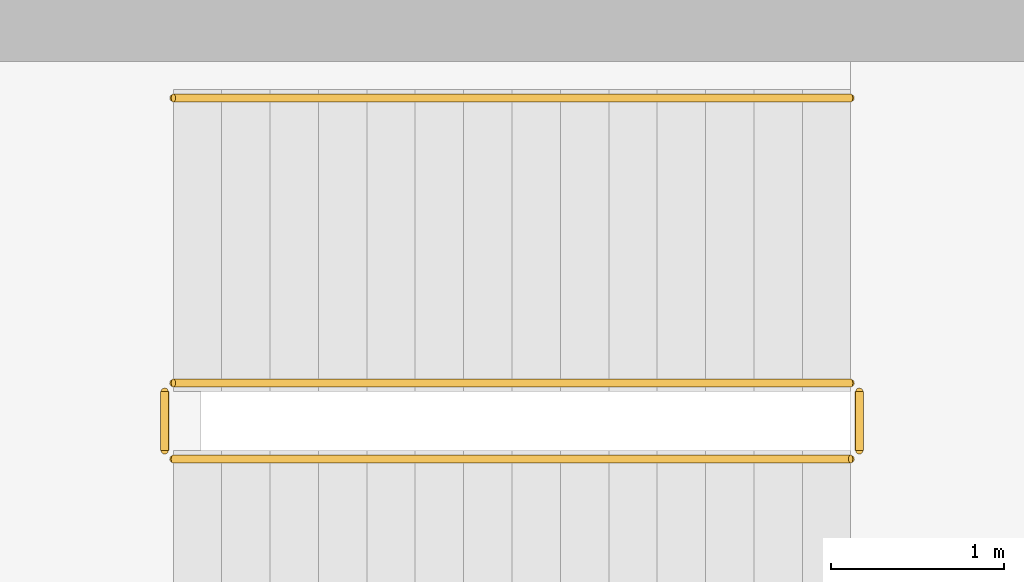
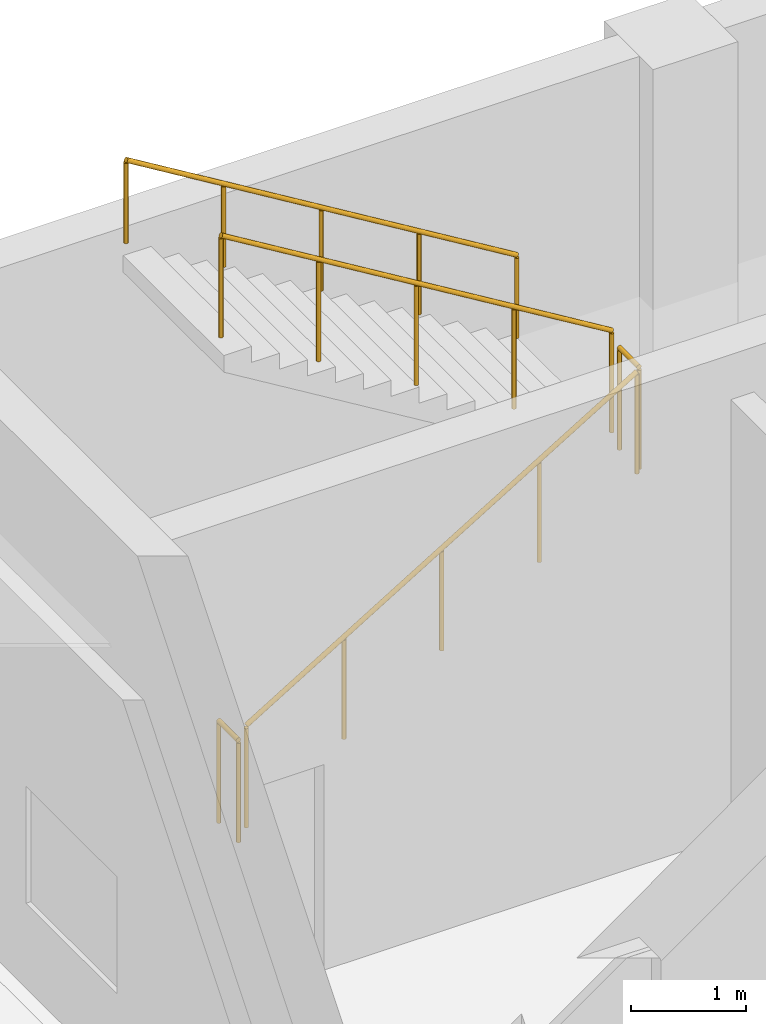
# One storey, part 66 of 66: 5 railings.
"""IFC4 building model written with IfcOpenShell, lengths in metres."""

from ifc_helpers import new_model, si_unit, direction, frame, origin, origin_2d, place, context, subcontext, project, spatial, circle, extrude, material, layer, layer_set, type_object, element, save


model = new_model("IFC4")

# Units and contexts
model_context = context("Model", 3, precision=1e-05, world=origin(), true_north=direction((0.0, 1.0)))
body_context = subcontext(model_context, "Body", "Model", "MODEL_VIEW")
ifc_project = project(units=[si_unit("LENGTHUNIT", "METRE"), si_unit("AREAUNIT", "SQUARE_METRE"), si_unit("VOLUMEUNIT", "CUBIC_METRE"), si_unit("PLANEANGLEUNIT", "RADIAN"), si_unit("MASSUNIT", "GRAM", prefix="KILO")], contexts=[model_context])

# Site, building, storey
site_placement = place(None, origin())
site = spatial("IfcSite", under=ifc_project, at=site_placement, CompositionType="ELEMENT")
building_placement = place(site_placement, origin())
building = spatial("IfcBuilding", under=site, at=building_placement, Name="Zulmaris Art Gallery", CompositionType="ELEMENT")
storey_placement = place(building_placement, frame((0.0, 0.0, 5.39990234375)))
storey = spatial("IfcBuildingStorey", under=building, at=storey_placement, Name="L01", CompositionType="ELEMENT", Elevation=5.39990234375)

# Railings
ifc_material_1 = material(Name="Steel S355J2", Category="steel")
ifc_layer_1 = layer(ifc_material_1, 0.050048828125)
ifc_layer_set_1 = layer_set([ifc_layer_1], Name="Steel S355J2")
railing_type_1 = type_object("IfcRailingType", Name="RAIL-STGRD", PredefinedType="GUARDRAIL", material=ifc_layer_set_1)
railing_1_placement = place(storey_placement, frame((186.300048828125, 73.110107421875, 0.170166015625)))
element("IfcRailing", 1, at=railing_1_placement, inside=storey, type_object=railing_type_1, Name="L01 ST4 stair guard 1", PredefinedType="GUARDRAIL", context=body_context, shape_type="SweptSolid", body=[
    extrude(circle(Radius=0.02392578125, at=origin_2d()), frame((0.0, 0.0, 1.076171875), z_axis=(0.854794262968, 0.0, 0.518967020143), x_axis=(0.0, 1.0, 0.0)), (0.0, 0.0, 1.0), 4.585693359375),
    extrude(circle(Radius=0.02099609375, at=origin_2d()), origin(), (0.0, 0.0, 1.0), 1.052001953125),
    extrude(circle(Radius=0.02099609375, at=origin_2d()), frame((0.97998046875, 0.0, 0.594970703125)), (0.0, 0.0, 1.0), 1.052001953125),
    extrude(circle(Radius=0.02099609375, at=origin_2d()), frame((1.9599609375, 0.0, 1.18994140625)), (0.0, 0.0, 1.0), 1.052001953125),
    extrude(circle(Radius=0.02099609375, at=origin_2d()), frame((2.93994140625, 0.0, 1.784912109375)), (0.0, 0.0, 1.0), 1.052001953125),
    extrude(circle(Radius=0.02099609375, at=origin_2d()), frame((3.919921875, 0.0, 2.3798828125)), (0.0, 0.0, 1.0), 1.052001953125),
])
railing_2_placement = place(storey_placement, frame((190.27001953125, 73.159912109375, 2.550048828125)))
element("IfcRailing", 2, at=railing_2_placement, inside=storey, type_object=railing_type_1, Name="L01 ST4 stair guard 2", PredefinedType="GUARDRAIL", context=body_context, shape_type="SweptSolid", body=[
    extrude(circle(Radius=0.02392578125, at=origin_2d()), frame((0.0, 0.0, 1.076171875), z_axis=(0.0, 1.0, 0.0), x_axis=(-1.0, 0.0, 0.0)), (0.0, 0.0, 1.0), 0.340087890625),
    extrude(circle(Radius=0.02099609375, at=origin_2d()), origin(), (0.0, 0.0, 1.0), 1.052001953125),
    extrude(circle(Radius=0.02099609375, at=origin_2d()), frame((0.0, 0.340087890625, 0.0)), (0.0, 0.0, 1.0), 1.052001953125),
])
railing_3_placement = place(storey_placement, frame((190.219970703125, 73.550048828125, 2.72021484375)))
element("IfcRailing", 3, at=railing_3_placement, inside=storey, type_object=railing_type_1, Name="L01 ST4 stair guard 3", PredefinedType="GUARDRAIL", context=body_context, shape_type="SweptSolid", body=[
    extrude(circle(Radius=0.02392578125, at=origin_2d()), frame((0.0, 0.0, 1.076171875), z_axis=(-0.854794262968, 0.0, 0.518967020143), x_axis=(0.0, -1.0, 0.0)), (0.0, 0.0, 1.0), 4.585693359375),
    extrude(circle(Radius=0.02099609375, at=origin_2d()), origin(), (0.0, 0.0, 1.0), 1.052001953125),
    extrude(circle(Radius=0.02099609375, at=origin_2d()), frame((-0.97998046875, 0.0, 0.594970703125)), (0.0, 0.0, 1.0), 1.052001953125),
    extrude(circle(Radius=0.02099609375, at=origin_2d()), frame((-1.9599609375, 0.0, 1.18994140625)), (0.0, 0.0, 1.0), 1.052001953125),
    extrude(circle(Radius=0.02099609375, at=origin_2d()), frame((-2.93994140625, 0.0, 1.784912109375)), (0.0, 0.0, 1.0), 1.052001953125),
    extrude(circle(Radius=0.02099609375, at=origin_2d()), frame((-3.919921875, 0.0, 2.3798828125)), (0.0, 0.0, 1.0), 1.052001953125),
])
railing_4_placement = place(storey_placement, frame((186.25, 73.159912109375, 0.0)))
element("IfcRailing", 4, at=railing_4_placement, inside=storey, type_object=railing_type_1, Name="L01 ST4 stair guard 4", PredefinedType="GUARDRAIL", context=body_context, shape_type="SweptSolid", body=[
    extrude(circle(Radius=0.02392578125, at=origin_2d()), frame((0.0, 0.0, 1.076171875), z_axis=(0.0, 1.0, 0.0), x_axis=(-1.0, 0.0, 0.0)), (0.0, 0.0, 1.0), 0.340087890625),
    extrude(circle(Radius=0.02099609375, at=origin_2d()), origin(), (0.0, 0.0, 1.0), 1.052001953125),
    extrude(circle(Radius=0.02099609375, at=origin_2d()), frame((0.0, 0.340087890625, 0.0)), (0.0, 0.0, 1.0), 1.052001953125),
])
ifc_material_2 = material(Name="Brushed Bronze Handrail", Category="steel")
ifc_layer_2 = layer(ifc_material_2, 0.048095703125)
ifc_layer_set_2 = layer_set([ifc_layer_2], Name="Brushed Bronze Handrail")
railing_type_2 = type_object("IfcRailingType", Name="RAIL-STHND", PredefinedType="HANDRAIL", material=ifc_layer_set_2)
railing_5_placement = place(storey_placement, frame((190.219970703125, 75.199951171875, 2.72021484375)))
element("IfcRailing", 5, at=railing_5_placement, inside=storey, type_object=railing_type_2, Name="L01 ST4 stair handrail 2", PredefinedType="HANDRAIL", context=body_context, shape_type="SweptSolid", body=[
    extrude(circle(Radius=0.02392578125, at=origin_2d()), frame((0.0, 0.0, 0.8759765625), z_axis=(-0.854794262968, 0.0, 0.518967020143), x_axis=(0.0, -1.0, 0.0)), (0.0, 0.0, 1.0), 4.585693359375),
    extrude(circle(Radius=0.02099609375, at=origin_2d()), origin(), (0.0, 0.0, 1.0), 0.851806640625),
    extrude(circle(Radius=0.02099609375, at=origin_2d()), frame((-0.97998046875, 0.0, 0.594970703125)), (0.0, 0.0, 1.0), 0.851806640625),
    extrude(circle(Radius=0.02099609375, at=origin_2d()), frame((-1.9599609375, 0.0, 1.18994140625)), (0.0, 0.0, 1.0), 0.851806640625),
    extrude(circle(Radius=0.02099609375, at=origin_2d()), frame((-2.93994140625, 0.0, 1.784912109375)), (0.0, 0.0, 1.0), 0.851806640625),
    extrude(circle(Radius=0.02099609375, at=origin_2d()), frame((-3.919921875, 0.0, 2.3798828125)), (0.0, 0.0, 1.0), 0.851806640625),
])

save(model, "model.ifc")
